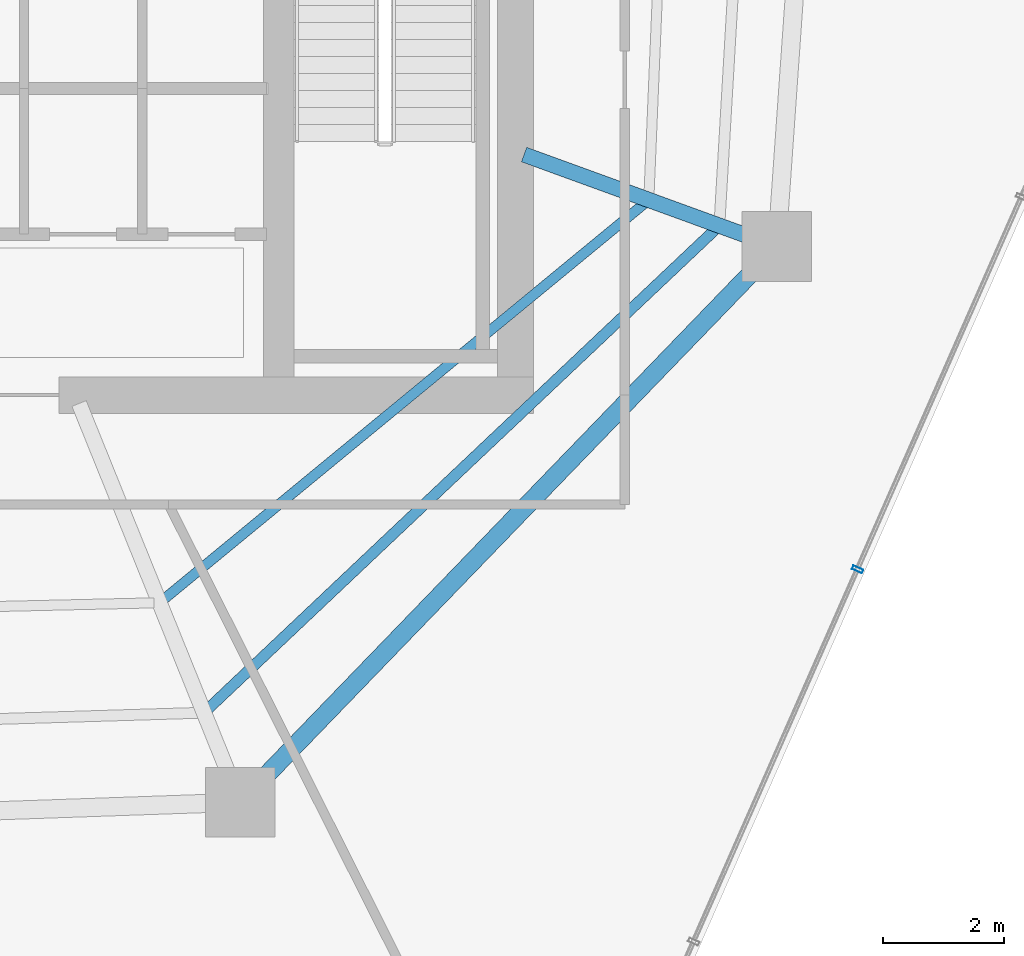
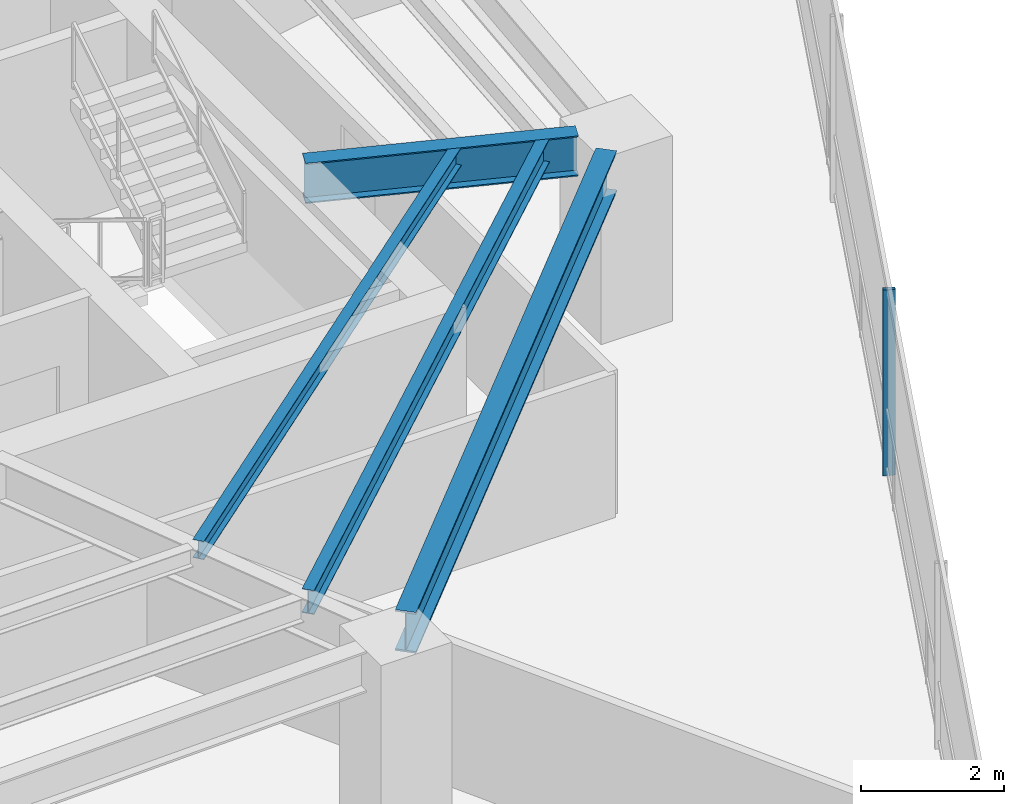
# One storey, part 11 of 30: 4 beams, 1 member, 1 element without a shape of its own.
"""IFC4 building model written with IfcOpenShell, lengths in metres."""

from ifc_helpers import new_model, si_unit, direction, frame, origin, origin_2d, place, context, subcontext, project, spatial, hollow_rectangle, i_section, extrude, material, layer, layer_set, material_profile, profile_set, type_object, element, aggregate, save


model = new_model("IFC4")

# Units and contexts
model_context = context("Model", 3, precision=1e-05, world=origin(), true_north=direction((0.0, 1.0)))
body_context = subcontext(model_context, "Body", "Model", "MODEL_VIEW")
ifc_project = project(units=[si_unit("LENGTHUNIT", "METRE"), si_unit("AREAUNIT", "SQUARE_METRE"), si_unit("VOLUMEUNIT", "CUBIC_METRE"), si_unit("PLANEANGLEUNIT", "RADIAN"), si_unit("MASSUNIT", "GRAM", prefix="KILO")], contexts=[model_context])

# Site, building, storey
site_placement = place(None, origin())
site = spatial("IfcSite", under=ifc_project, at=site_placement, CompositionType="ELEMENT")
building_placement = place(site_placement, origin())
building = spatial("IfcBuilding", under=site, at=building_placement, Name="Qarnah Convention Tower", CompositionType="ELEMENT")
storey_placement = place(building_placement, frame((0.0, 0.0, 90.14990234375)))
storey = spatial("IfcBuildingStorey", under=building, at=storey_placement, Name="L23", CompositionType="ELEMENT", Elevation=90.14990234375)

# Beams
ifc_material_1 = material(Name="Structural steel S355JR", Category="steel")
ifc_material_profile_1 = material_profile(ifc_material_1, i_section(OverallWidth=0.166015625, OverallDepth=0.31201171875, WebThickness=0.007080078125, FlangeThickness=0.010986328125, at=origin_2d()), Name="W310X45")
ifc_profile_set_1 = profile_set([ifc_material_profile_1], Name="Structural steel S355JR")
beam_type_1 = type_object("IfcBeamType", Name="BM-JST-W310", PredefinedType="JOIST", material=ifc_profile_set_1)
beam_1_placement = place(storey_placement, frame((41.803955078125, 15.235107421875, 3.01416015625), z_axis=(0.772023617409, 0.63559384371, 0.0), x_axis=(-0.63559384371, 0.772023617409, 0.0)))
element("IfcBeam", 1, at=beam_1_placement, inside=storey, type_object=beam_type_1, Name="L23 joist BM-L23-IJST-08", PredefinedType="JOIST", context=body_context, shape_type="SweptSolid", body=[
    extrude(i_section(OverallWidth=0.166015625, OverallDepth=0.31201171875, WebThickness=0.007080078125, FlangeThickness=0.010986328125, at=origin_2d()), origin(), (0.0, 0.0, 1.0), 10.2626953125),
])
ifc_material_profile_2 = material_profile(ifc_material_1, i_section(OverallWidth=0.177978515625, OverallDepth=0.407958984375, WebThickness=0.008056640625, FlangeThickness=0.012939453125, at=origin_2d()), Name="W410X60")
ifc_profile_set_2 = profile_set([ifc_material_profile_2], Name="Structural steel S355JR")
beam_type_2 = type_object("IfcBeamType", Name="BM-JST-W410", PredefinedType="JOIST", material=ifc_profile_set_2)
beam_2_placement = place(storey_placement, frame((42.531982421875, 13.427978515625, 2.966064453125), z_axis=(0.726813624137, 0.686834736868, 0.0), x_axis=(-0.686834736868, 0.726813624137, 0.0)))
element("IfcBeam", 2, at=beam_2_placement, inside=storey, type_object=beam_type_2, Name="L23 joist BM-L23-SJST-08", PredefinedType="JOIST", context=body_context, shape_type="SweptSolid", body=[
    extrude(i_section(OverallWidth=0.177978515625, OverallDepth=0.407958984375, WebThickness=0.008056640625, FlangeThickness=0.012939453125, at=origin_2d()), origin(), (0.0, 0.0, 1.0), 11.505126953125),
])
ifc_material_profile_3 = material_profile(ifc_material_1, i_section(OverallWidth=0.25390625, OverallDepth=0.68798828125, WebThickness=0.012939453125, FlangeThickness=0.02099609375, at=origin_2d()), Name="W690X152")
ifc_profile_set_3 = profile_set([ifc_material_profile_3], Name="Structural steel S355JR")
beam_type_3 = type_object("IfcBeamType", Name="BM-RAD-W690", PredefinedType="BEAM", material=ifc_profile_set_3)
beam_3_placement = place(storey_placement, frame((47.740966796875, 22.56298828125, 2.826171875), z_axis=(0.93969593668, -0.342011032845, 0.0), x_axis=(0.342011032845, 0.93969593668, 0.0)))
element("IfcBeam", 3, at=beam_3_placement, inside=storey, type_object=beam_type_3, Name="L23 beam BM-L23-RAD-09", PredefinedType="BEAM", context=body_context, shape_type="SweptSolid", body=[
    extrude(i_section(OverallWidth=0.25390625, OverallDepth=0.68798828125, WebThickness=0.012939453125, FlangeThickness=0.02099609375, at=origin_2d()), origin(), (0.0, 0.0, 1.0), 3.876953125),
])
ifc_material_profile_4 = material_profile(ifc_material_1, i_section(OverallWidth=0.300048828125, OverallDepth=0.699951171875, WebThickness=0.01708984375, FlangeThickness=0.031982421875, at=origin_2d()), Name="HEB700")
ifc_profile_set_4 = profile_set([ifc_material_profile_4], Name="Structural steel S355JR")
beam_type_4 = type_object("IfcBeamType", Name="BM-RING-HEB700", PredefinedType="BEAM", material=ifc_profile_set_4)
beam_4_placement = place(storey_placement, frame((43.455078125, 12.2958984375, 2.820068359375), z_axis=(0.694656478954, 0.719341626939, 0.0), x_axis=(-0.719341626939, 0.694656478954, 0.0)))
element("IfcBeam", 4, at=beam_4_placement, inside=storey, type_object=beam_type_4, Name="L23 beam BM-L23-SPN-08", PredefinedType="BEAM", context=body_context, shape_type="SweptSolid", body=[
    extrude(i_section(OverallWidth=0.300048828125, OverallDepth=0.699951171875, WebThickness=0.01708984375, FlangeThickness=0.031982421875, at=origin_2d()), origin(), (0.0, 0.0, 1.0), 11.60107421875),
])

# Curtain wall, member
ifc_material_2 = material(Name="Tempered Low-E dark glass", Category="glass")
ifc_layer = layer(ifc_material_2, 0.169921875)
ifc_layer_set = layer_set([ifc_layer], Name="Tempered Low-E dark glass")
curtain_wall_type = type_object("IfcCurtainWallType", Name="CWS-02", PredefinedType="NOTDEFINED", material=ifc_layer_set)
curtain_wall_placement = place(storey_placement, origin())
curtain_wall = element("IfcCurtainWall", 5, at=curtain_wall_placement, inside=storey, type_object=curtain_wall_type, Name="L23 unitised curtain wall CW-L23-F2", PredefinedType="NOTDEFINED")
ifc_material_3 = material(Name="Black anodised aluminium", Category="aluminium")
ifc_material_profile_5 = material_profile(ifc_material_3, hollow_rectangle(XDim=0.06494140625, YDim=0.179931640625, WallThickness=0.00390625, at=origin_2d()), Name="MUL-65X180")
ifc_profile_set_5 = profile_set([ifc_material_profile_5], Name="Black anodised aluminium")
member_type = type_object("IfcMemberType", Name="MUL-T2", PredefinedType="MULLION", material=ifc_profile_set_5)
member_placement = place(storey_placement, frame((53.237548828125, 15.72705078125, 0.0), z_axis=(0.0, 0.0, 1.0), x_axis=(-0.402913592041, -0.915238022237, 0.0)))
member = element("IfcMember", 6, at=member_placement, type_object=member_type, Name="CW-L23-F2 mullion 4", PredefinedType="MULLION", context=body_context, shape_type="SweptSolid", body=[
    extrude(hollow_rectangle(XDim=0.06494140625, YDim=0.179931640625, WallThickness=0.00390625, at=origin_2d()), origin(), (0.0, 0.0, 1.0), 3.170166015625),
])
aggregate(curtain_wall, [member])

save(model, "model.ifc")
